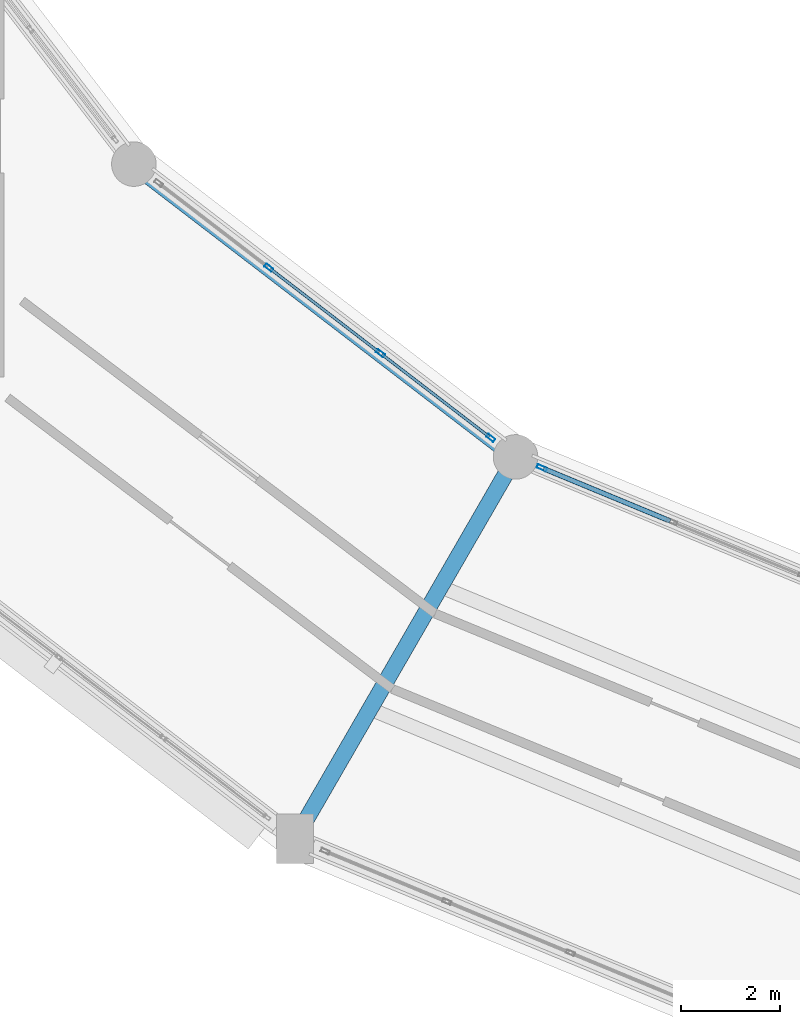
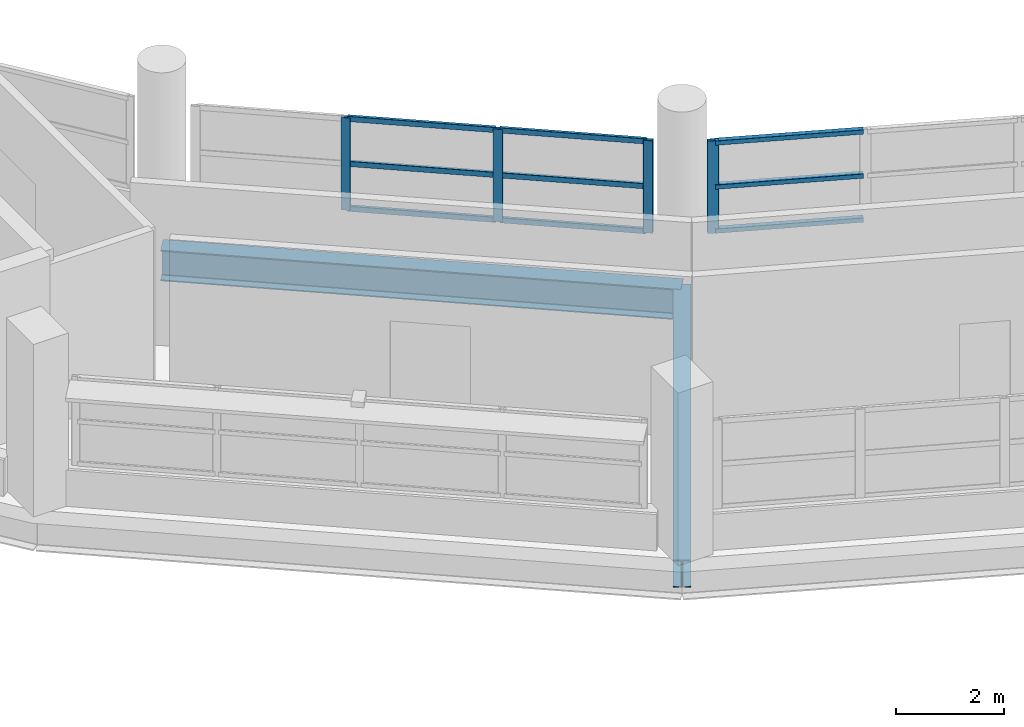
# One storey, part 10 of 88: 13 members, 2 beams, 2 elements without a shape of their own.
"""IFC4 building model written with IfcOpenShell, lengths in metres."""

from ifc_helpers import new_model, si_unit, direction, frame, origin, origin_2d, place, context, subcontext, project, spatial, hollow_rectangle, i_section, extrude, material, layer, layer_set, material_profile, profile_set, type_object, element, aggregate, save


model = new_model("IFC4")

# Units and contexts
model_context = context("Model", 3, precision=1e-05, world=origin(), true_north=direction((0.0, 1.0)))
body_context = subcontext(model_context, "Body", "Model", "MODEL_VIEW")
ifc_project = project(units=[si_unit("LENGTHUNIT", "METRE"), si_unit("AREAUNIT", "SQUARE_METRE"), si_unit("VOLUMEUNIT", "CUBIC_METRE"), si_unit("PLANEANGLEUNIT", "RADIAN"), si_unit("MASSUNIT", "GRAM", prefix="KILO")], contexts=[model_context])

# Site, building, storey
site_placement = place(None, origin())
site = spatial("IfcSite", under=ifc_project, at=site_placement, CompositionType="ELEMENT")
building_placement = place(site_placement, origin())
building = spatial("IfcBuilding", under=site, at=building_placement, Name="Vespera Passage Community Centre", CompositionType="ELEMENT")
storey_placement = place(building_placement, frame((0.0, 0.0, 16.5)))
storey = spatial("IfcBuildingStorey", under=building, at=storey_placement, Name="L04", CompositionType="ELEMENT", Elevation=16.5)

# Beams
ifc_material_1 = material(Name="Steel ASTM A992 Grade 50", Category="steel")
ifc_material_profile_1 = material_profile(ifc_material_1, i_section(OverallWidth=0.32763671875, OverallDepth=0.62841796875, WebThickness=0.0166015625, FlangeThickness=0.027587890625, FilletRadius=0.0126953125, at=origin_2d()), Name="W24X146")
ifc_profile_set_1 = profile_set([ifc_material_profile_1], Name="Steel ASTM A992 Grade 50")
beam_type_1 = type_object("IfcBeamType", Name="BM-G-W24X146", PredefinedType="BEAM", material=ifc_profile_set_1)
beam_1_placement = place(storey_placement, frame((59.39990234375, 33.283935546875, -0.6142578125), z_axis=(-0.499989191739, -0.866031643847, 0.0), x_axis=(0.866031643847, -0.499989191739, 0.0)))
element("IfcBeam", 1, at=beam_1_placement, inside=storey, type_object=beam_type_1, Name="V4 L04 Radial Girder 16", PredefinedType="BEAM", context=body_context, shape_type="SweptSolid", body=[
    extrude(i_section(OverallWidth=0.32763671875, OverallDepth=0.62841796875, WebThickness=0.0166015625, FlangeThickness=0.027587890625, FilletRadius=0.0126953125, at=origin_2d()), origin(), (0.0, 0.0, 1.0), 8.900146484375),
])
ifc_material_2 = material(Name="Steel ASTM A992 Grade 50", Category="steel")
ifc_material_profile_2 = material_profile(ifc_material_2, i_section(OverallWidth=0.3544921875, OverallDepth=0.695556640625, WebThickness=0.015380859375, FlangeThickness=0.024658203125, FilletRadius=0.01513671875, at=origin_2d()), Name="W27X146")
ifc_profile_set_2 = profile_set([ifc_material_profile_2], Name="Steel ASTM A992 Grade 50")
beam_type_2 = type_object("IfcBeamType", Name="BM-SP-W27X146E", PredefinedType="SPANDREL", material=ifc_profile_set_2)
beam_2_placement = place(storey_placement, frame((51.695556640625, 39.195556640625, -0.647705078125), z_axis=(0.793359869694, -0.60875291963, 0.0), x_axis=(0.60875291963, 0.793359869694, 0.0)))
element("IfcBeam", 2, at=beam_2_placement, inside=storey, type_object=beam_type_2, Name="V4 L04 Inner Spandrel 15", PredefinedType="SPANDREL", context=body_context, shape_type="SweptSolid", body=[
    extrude(i_section(OverallWidth=0.3544921875, OverallDepth=0.695556640625, WebThickness=0.015380859375, FlangeThickness=0.024658203125, FilletRadius=0.01513671875, at=origin_2d()), origin(), (0.0, 0.0, 1.0), 9.7109375),
])

# Curtain wall, members
ifc_material_3 = material(Name="Anodized aluminium 6063-T6", Category="aluminium")
ifc_layer_1 = layer(ifc_material_3, 0.159912109375)
ifc_layer_set_1 = layer_set([ifc_layer_1], Name="Anodized aluminium 6063-T6")
curtain_wall_type_1 = type_object("IfcCurtainWallType", Name="CW-54E", PredefinedType="NOTDEFINED", material=ifc_layer_set_1)
curtain_wall_1_placement = place(storey_placement, origin())
curtain_wall_1 = element("IfcCurtainWall", 3, at=curtain_wall_1_placement, inside=storey, type_object=curtain_wall_type_1, Name="V4 L04 Inner Court Curtain Wall 15", PredefinedType="NOTDEFINED")
ifc_material_4 = material(Name="Anodized aluminium 6063-T6", Category="aluminium")
ifc_material_profile_3 = material_profile(ifc_material_4, hollow_rectangle(XDim=0.074951171875, YDim=0.179931640625, WallThickness=0.0048828125, InnerFilletRadius=0.00244140625, OuterFilletRadius=0.0048828125, at=origin_2d()), Name="ALU180X75X5")
ifc_profile_set_3 = profile_set([ifc_material_profile_3], Name="Anodized aluminium 6063-T6")
member_type_1 = type_object("IfcMemberType", Name="MB-CWM-180E", PredefinedType="MULLION", material=ifc_profile_set_3)
member_1_placement = place(storey_placement, frame((54.420654296875, 37.104736328125, 0.820068359375), z_axis=(0.0, 0.0, 1.0), x_axis=(0.608755087843, 0.793358205999, 0.0)))
member_1 = element("IfcMember", 4, at=member_1_placement, type_object=member_type_1, Name="CW-54E mullion 2", PredefinedType="MULLION", context=body_context, shape_type="SweptSolid", body=[
    extrude(hollow_rectangle(XDim=0.074951171875, YDim=0.179931640625, WallThickness=0.0048828125, InnerFilletRadius=0.00244140625, OuterFilletRadius=0.0048828125, at=origin_2d()), origin(), (0.0, 0.0, 1.0), 2.08935546875),
])
member_2_placement = place(storey_placement, frame((56.675048828125, 35.374755859375, 0.820068359375), z_axis=(0.0, 0.0, 1.0), x_axis=(0.608755087843, 0.793358205999, 0.0)))
member_2 = element("IfcMember", 5, at=member_2_placement, type_object=member_type_1, Name="CW-54E mullion 3", PredefinedType="MULLION", context=body_context, shape_type="SweptSolid", body=[
    extrude(hollow_rectangle(XDim=0.074951171875, YDim=0.179931640625, WallThickness=0.0048828125, InnerFilletRadius=0.00244140625, OuterFilletRadius=0.0048828125, at=origin_2d()), origin(), (0.0, 0.0, 1.0), 2.08935546875),
])
member_3_placement = place(storey_placement, frame((58.899658203125, 33.667724609375, 0.820068359375), z_axis=(0.0, 0.0, 1.0), x_axis=(0.608755087843, 0.793358205999, 0.0)))
member_3 = element("IfcMember", 6, at=member_3_placement, type_object=member_type_1, Name="CW-54E mullion 4", PredefinedType="MULLION", context=body_context, shape_type="SweptSolid", body=[
    extrude(hollow_rectangle(XDim=0.074951171875, YDim=0.179931640625, WallThickness=0.0048828125, InnerFilletRadius=0.00244140625, OuterFilletRadius=0.0048828125, at=origin_2d()), origin(), (0.0, 0.0, 1.0), 2.08935546875),
])

ifc_material_5 = material(Name="Anodized aluminium 6063-T6", Category="aluminium")
ifc_layer_2 = layer(ifc_material_5, 0.159912109375)
ifc_layer_set_2 = layer_set([ifc_layer_2], Name="Anodized aluminium 6063-T6")
curtain_wall_type_2 = type_object("IfcCurtainWallType", Name="CW-56E", PredefinedType="NOTDEFINED", material=ifc_layer_set_2)
curtain_wall_2_placement = place(storey_placement, origin())
curtain_wall_2 = element("IfcCurtainWall", 7, at=curtain_wall_2_placement, inside=storey, type_object=curtain_wall_type_2, Name="V4 L04 Inner Court Curtain Wall 16", PredefinedType="NOTDEFINED")
ifc_material_6 = material(Name="Anodized aluminium 6063-T6", Category="aluminium")
ifc_material_profile_4 = material_profile(ifc_material_6, hollow_rectangle(XDim=0.074951171875, YDim=0.2099609375, WallThickness=0.0048828125, InnerFilletRadius=0.00244140625, OuterFilletRadius=0.0048828125, at=origin_2d()), Name="ALU210X75X5")
ifc_profile_set_4 = profile_set([ifc_material_profile_4], Name="Anodized aluminium 6063-T6")
member_type_2 = type_object("IfcMemberType", Name="MB-CWM-210E", PredefinedType="MULLION", material=ifc_profile_set_4)
member_4_placement = place(storey_placement, frame((59.933349609375, 33.06298828125, 0.820068359375), z_axis=(0.0, 0.0, 1.0), x_axis=(0.382690463482, 0.923876620096, 0.0)))
member_4 = element("IfcMember", 8, at=member_4_placement, type_object=member_type_2, Name="CW-56E mullion 1", PredefinedType="MULLION", context=body_context, shape_type="SweptSolid", body=[
    extrude(hollow_rectangle(XDim=0.074951171875, YDim=0.2099609375, WallThickness=0.0048828125, InnerFilletRadius=0.00244140625, OuterFilletRadius=0.0048828125, at=origin_2d()), origin(), (0.0, 0.0, 1.0), 2.08935546875),
])
ifc_material_7 = material(Name="Anodized aluminium 6063-T6", Category="aluminium")
ifc_material_profile_5 = material_profile(ifc_material_7, hollow_rectangle(XDim=0.10009765625, YDim=0.10009765625, WallThickness=0.00390625, InnerFilletRadius=0.001953125, OuterFilletRadius=0.00390625, at=origin_2d()), Name="ALU100X100X4")
ifc_profile_set_5 = profile_set([ifc_material_profile_5], Name="Anodized aluminium 6063-T6")
member_type_3 = type_object("IfcMemberType", Name="MB-CWT-100E", PredefinedType="USERDEFINED", material=ifc_profile_set_5)
member_5_placement = place(storey_placement, frame((59.9677734375, 33.048583984375, 0.8701171875), z_axis=(0.923908142805, -0.382614353701, 0.0), x_axis=(0.382614353701, 0.923908142805, 0.0)))
member_5 = element("IfcMember", 9, at=member_5_placement, type_object=member_type_3, Name="CW-56E transom 1.1", ObjectType="TRANSOM", PredefinedType="USERDEFINED", context=body_context, shape_type="SweptSolid", body=[
    extrude(hollow_rectangle(XDim=0.10009765625, YDim=0.10009765625, WallThickness=0.00390625, InnerFilletRadius=0.001953125, OuterFilletRadius=0.00390625, at=origin_2d()), origin(), (0.0, 0.0, 1.0), 2.764892578125),
])
member_6_placement = place(storey_placement, frame((59.9677734375, 33.048583984375, 1.86474609375), z_axis=(0.923908142805, -0.382614353701, 0.0), x_axis=(0.382614353701, 0.923908142805, 0.0)))
member_6 = element("IfcMember", 10, at=member_6_placement, type_object=member_type_3, Name="CW-56E transom 1.2", ObjectType="TRANSOM", PredefinedType="USERDEFINED", context=body_context, shape_type="SweptSolid", body=[
    extrude(hollow_rectangle(XDim=0.10009765625, YDim=0.10009765625, WallThickness=0.00390625, InnerFilletRadius=0.001953125, OuterFilletRadius=0.00390625, at=origin_2d()), origin(), (0.0, 0.0, 1.0), 2.764892578125),
])
member_7_placement = place(storey_placement, frame((59.9677734375, 33.048583984375, 2.859375), z_axis=(0.923908142805, -0.382614353701, 0.0), x_axis=(0.382614353701, 0.923908142805, 0.0)))
member_7 = element("IfcMember", 11, at=member_7_placement, type_object=member_type_3, Name="CW-56E transom 1.3", ObjectType="TRANSOM", PredefinedType="USERDEFINED", context=body_context, shape_type="SweptSolid", body=[
    extrude(hollow_rectangle(XDim=0.10009765625, YDim=0.10009765625, WallThickness=0.00390625, InnerFilletRadius=0.001953125, OuterFilletRadius=0.00390625, at=origin_2d()), origin(), (0.0, 0.0, 1.0), 2.764892578125),
])
aggregate(curtain_wall_2, [member_4, member_5, member_6, member_7])

# Member
ifc_material_8 = material(Name="Anodized aluminium 6063-T6", Category="aluminium")
ifc_material_profile_6 = material_profile(ifc_material_8, hollow_rectangle(XDim=0.06005859375, YDim=0.1201171875, WallThickness=0.00390625, InnerFilletRadius=0.001953125, OuterFilletRadius=0.00390625, at=origin_2d()), Name="ALU120X60X4")
ifc_profile_set_6 = profile_set([ifc_material_profile_6], Name="Anodized aluminium 6063-T6")
member_type_4 = type_object("IfcMemberType", Name="MB-CWT-120E", PredefinedType="USERDEFINED", material=ifc_profile_set_6)
member_8_placement = place(storey_placement, frame((54.450439453125, 37.081787109375, 0.85009765625), z_axis=(0.793364831796, -0.608746452695, 0.0), x_axis=(0.608746452695, 0.793364831796, 0.0)))
member_8 = element("IfcMember", 12, at=member_8_placement, type_object=member_type_4, Name="CW-54E transom 2.1", ObjectType="TRANSOM", PredefinedType="USERDEFINED", context=body_context, shape_type="SweptSolid", body=[
    extrude(hollow_rectangle(XDim=0.06005859375, YDim=0.1201171875, WallThickness=0.00390625, InnerFilletRadius=0.001953125, OuterFilletRadius=0.00390625, at=origin_2d()), origin(), (0.0, 0.0, 1.0), 2.766357421875),
])

member_9_placement = place(storey_placement, frame((54.450439453125, 37.081787109375, 1.86474609375), z_axis=(0.793364831796, -0.608746452695, 0.0), x_axis=(0.608746452695, 0.793364831796, 0.0)))
member_9 = element("IfcMember", 13, at=member_9_placement, type_object=member_type_4, Name="CW-54E transom 2.2", ObjectType="TRANSOM", PredefinedType="USERDEFINED", context=body_context, shape_type="SweptSolid", body=[
    extrude(hollow_rectangle(XDim=0.06005859375, YDim=0.1201171875, WallThickness=0.00390625, InnerFilletRadius=0.001953125, OuterFilletRadius=0.00390625, at=origin_2d()), origin(), (0.0, 0.0, 1.0), 2.766357421875),
])

member_10_placement = place(storey_placement, frame((54.450439453125, 37.081787109375, 2.87939453125), z_axis=(0.793364831796, -0.608746452695, 0.0), x_axis=(0.608746452695, 0.793364831796, 0.0)))
member_10 = element("IfcMember", 14, at=member_10_placement, type_object=member_type_4, Name="CW-54E transom 2.3", ObjectType="TRANSOM", PredefinedType="USERDEFINED", context=body_context, shape_type="SweptSolid", body=[
    extrude(hollow_rectangle(XDim=0.06005859375, YDim=0.1201171875, WallThickness=0.00390625, InnerFilletRadius=0.001953125, OuterFilletRadius=0.00390625, at=origin_2d()), origin(), (0.0, 0.0, 1.0), 2.766357421875),
])

member_11_placement = place(storey_placement, frame((56.704833984375, 35.35205078125, 0.85009765625), z_axis=(0.793338465411, -0.608780813839, 0.0), x_axis=(0.608780813839, 0.793338465411, 0.0)))
member_11 = element("IfcMember", 15, at=member_11_placement, type_object=member_type_4, Name="CW-54E transom 3.1", ObjectType="TRANSOM", PredefinedType="USERDEFINED", context=body_context, shape_type="SweptSolid", body=[
    extrude(hollow_rectangle(XDim=0.06005859375, YDim=0.1201171875, WallThickness=0.00390625, InnerFilletRadius=0.001953125, OuterFilletRadius=0.00390625, at=origin_2d()), origin(), (0.0, 0.0, 1.0), 2.72900390625),
])

member_12_placement = place(storey_placement, frame((56.704833984375, 35.35205078125, 1.86474609375), z_axis=(0.793338465411, -0.608780813839, 0.0), x_axis=(0.608780813839, 0.793338465411, 0.0)))
member_12 = element("IfcMember", 16, at=member_12_placement, type_object=member_type_4, Name="CW-54E transom 3.2", ObjectType="TRANSOM", PredefinedType="USERDEFINED", context=body_context, shape_type="SweptSolid", body=[
    extrude(hollow_rectangle(XDim=0.06005859375, YDim=0.1201171875, WallThickness=0.00390625, InnerFilletRadius=0.001953125, OuterFilletRadius=0.00390625, at=origin_2d()), origin(), (0.0, 0.0, 1.0), 2.72900390625),
])

member_13_placement = place(storey_placement, frame((56.704833984375, 35.35205078125, 2.87939453125), z_axis=(0.793338465411, -0.608780813839, 0.0), x_axis=(0.608780813839, 0.793338465411, 0.0)))
member_13 = element("IfcMember", 17, at=member_13_placement, type_object=member_type_4, Name="CW-54E transom 3.3", ObjectType="TRANSOM", PredefinedType="USERDEFINED", context=body_context, shape_type="SweptSolid", body=[
    extrude(hollow_rectangle(XDim=0.06005859375, YDim=0.1201171875, WallThickness=0.00390625, InnerFilletRadius=0.001953125, OuterFilletRadius=0.00390625, at=origin_2d()), origin(), (0.0, 0.0, 1.0), 2.72900390625),
])

aggregate(curtain_wall_1, [member_1, member_2, member_3, member_8, member_9, member_10, member_11, member_12, member_13])

save(model, "model.ifc")
